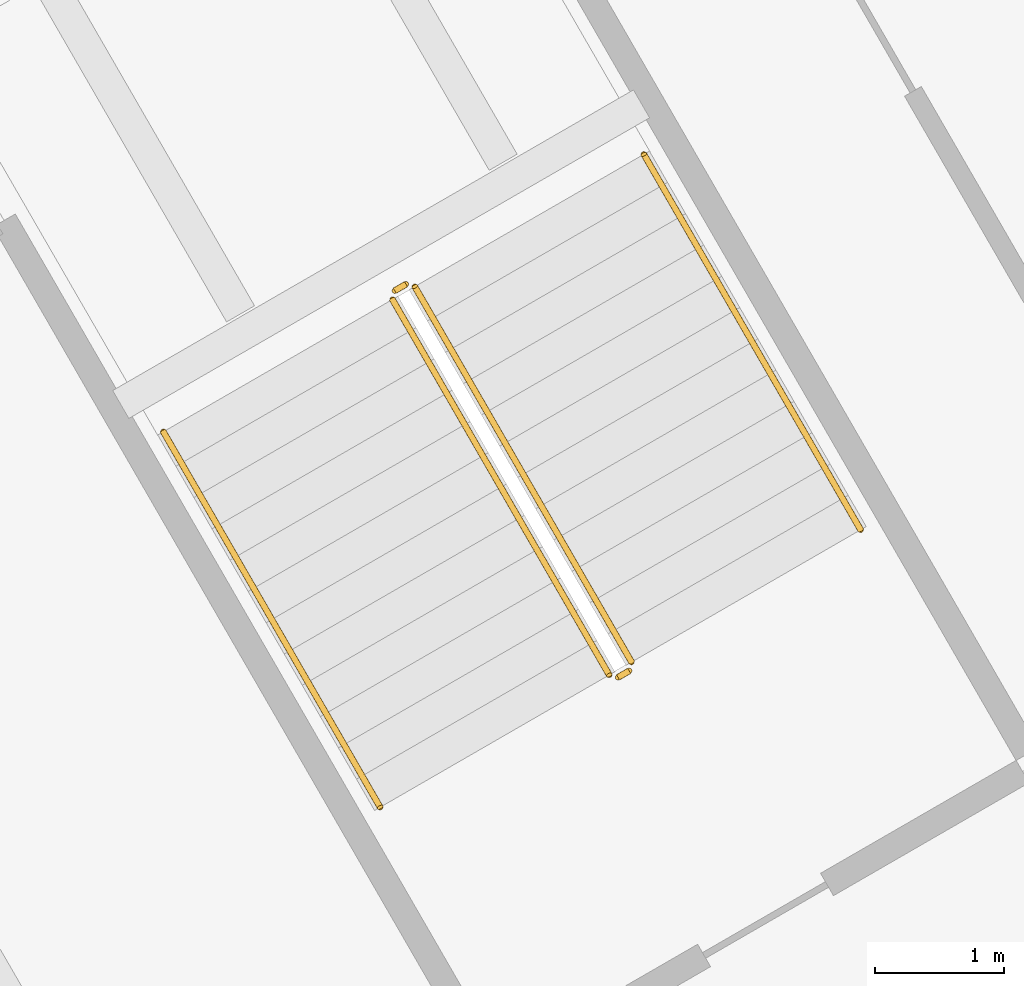
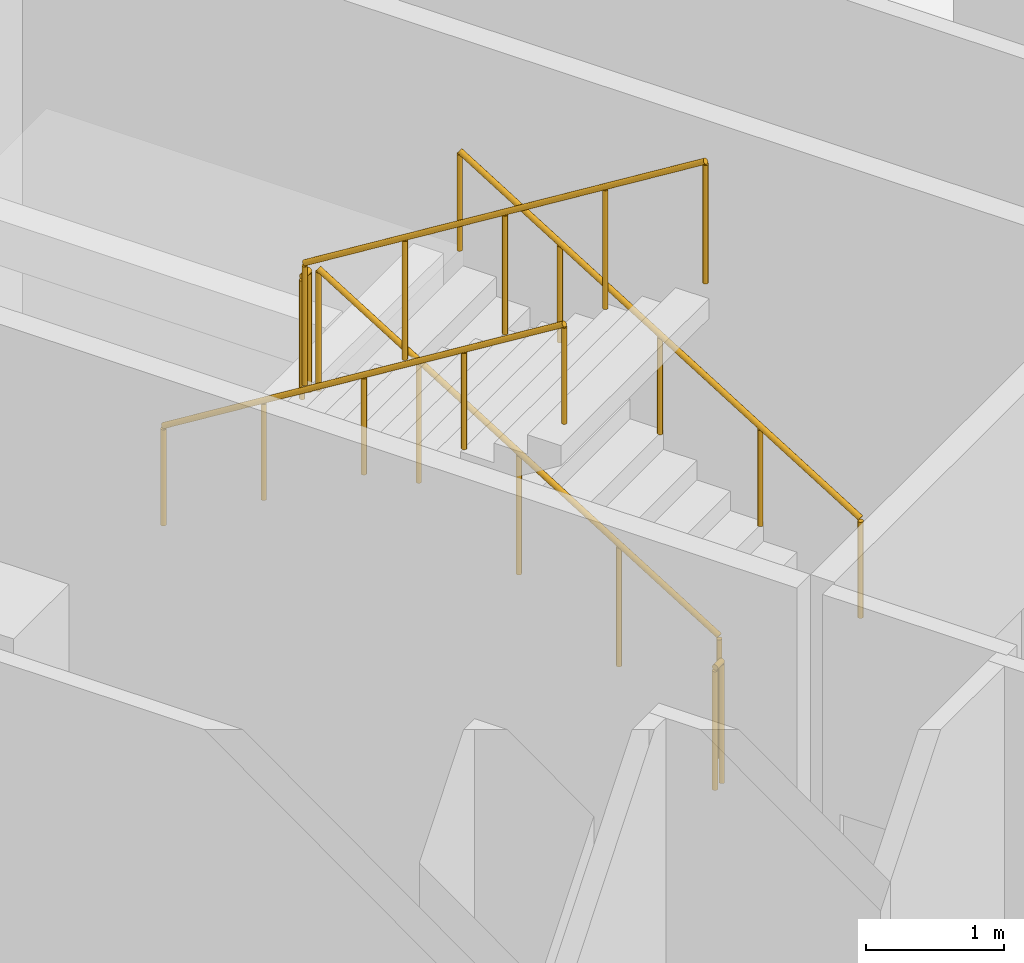
# One storey, part 15 of 20: 6 railings.
"""IFC4 building model written with IfcOpenShell, lengths in metres."""

from ifc_helpers import new_model, si_unit, direction, frame, origin, origin_2d, place, context, subcontext, project, spatial, circle, extrude, material, type_object, element, save


model = new_model("IFC4")

# Units and contexts
model_context = context("Model", 3, precision=1e-05, world=origin(), true_north=direction((0.0, 1.0)))
body_context = subcontext(model_context, "Body", "Model", "MODEL_VIEW")
ifc_project = project(units=[si_unit("LENGTHUNIT", "METRE"), si_unit("AREAUNIT", "SQUARE_METRE"), si_unit("VOLUMEUNIT", "CUBIC_METRE"), si_unit("PLANEANGLEUNIT", "RADIAN"), si_unit("MASSUNIT", "GRAM", prefix="KILO")], contexts=[model_context])

# Site, building, storey
site_placement = place(None, origin())
site = spatial("IfcSite", under=ifc_project, at=site_placement, CompositionType="ELEMENT")
building_placement = place(site_placement, origin())
building = spatial("IfcBuilding", under=site, at=building_placement, Name="Verdalira Terraces Hotel", CompositionType="ELEMENT")
storey_placement = place(building_placement, frame((0.0, 0.0, 23.5)))
storey = spatial("IfcBuildingStorey", under=building, at=storey_placement, Name="L04", CompositionType="ELEMENT", Elevation=23.5)

# Railings
ifc_material_1 = material(Name="Stainless steel", Category="steel")
railing_type_1 = type_object("IfcRailingType", Name="Stair guard 1100", PredefinedType="GUARDRAIL", material=ifc_material_1)
railing_1_placement = place(storey_placement, frame((-27.944092, -16.999512, 0.173096)))
element("IfcRailing", 1, at=railing_1_placement, inside=storey, type_object=railing_type_1, Name="L04 PS2 stair guard 1", PredefinedType="GUARDRAIL", context=body_context, shape_type="SweptSolid", body=[
    extrude(circle(Radius=0.023926, at=origin_2d()), frame((0.0, 0.0, 1.076172), z_axis=(-0.425288379, 0.736667954, 0.525785241), x_axis=(-0.86603918, -0.499976139, 0.0)), (0.0, 0.0, 1.0), 3.950195),
    extrude(circle(Radius=0.020996, at=origin_2d()), origin(), (0.0, 0.0, 1.0), 1.052002),
    extrude(circle(Radius=0.020996, at=origin_2d()), frame((-0.419922, 0.727539, 0.519287)), (0.0, 0.0, 1.0), 1.052002),
    extrude(circle(Radius=0.020996, at=origin_2d()), frame((-0.839844, 1.455078, 1.038574)), (0.0, 0.0, 1.0), 1.052002),
    extrude(circle(Radius=0.020996, at=origin_2d()), frame((-1.26001, 2.182373, 1.557617)), (0.0, 0.0, 1.0), 1.052002),
    extrude(circle(Radius=0.020996, at=origin_2d()), frame((-1.679932, 2.909912, 2.076904)), (0.0, 0.0, 1.0), 1.052002),
])
railing_2_placement = place(storey_placement, frame((-29.692383, -14.071289, 2.25)))
element("IfcRailing", 2, at=railing_2_placement, inside=storey, type_object=railing_type_1, Name="L04 PS2 stair guard 2", PredefinedType="GUARDRAIL", context=body_context, shape_type="SweptSolid", body=[
    extrude(circle(Radius=0.023926, at=origin_2d()), frame((0.0, 0.0, 1.076172), z_axis=(-0.865982458, -0.500074377, 0.0), x_axis=(0.500074377, -0.865982458, 0.0)), (0.0, 0.0, 1.0), 0.100098),
    extrude(circle(Radius=0.020996, at=origin_2d()), origin(), (0.0, 0.0, 1.0), 1.052002),
    extrude(circle(Radius=0.020996, at=origin_2d()), frame((-0.08667, -0.050049, 0.0)), (0.0, 0.0, 1.0), 1.052002),
])
railing_3_placement = place(storey_placement, frame((-29.797119, -14.189697, 2.423096)))
element("IfcRailing", 3, at=railing_3_placement, inside=storey, type_object=railing_type_1, Name="L04 PS2 stair guard 3", PredefinedType="GUARDRAIL", context=body_context, shape_type="SweptSolid", body=[
    extrude(circle(Radius=0.023926, at=origin_2d()), frame((0.0, 0.0, 1.076172), z_axis=(0.425288379, -0.736667954, 0.525785241), x_axis=(0.86603918, 0.499976139, 0.0)), (0.0, 0.0, 1.0), 3.950195),
    extrude(circle(Radius=0.020996, at=origin_2d()), origin(), (0.0, 0.0, 1.0), 1.052002),
    extrude(circle(Radius=0.020996, at=origin_2d()), frame((0.419922, -0.727539, 0.519287)), (0.0, 0.0, 1.0), 1.052002),
    extrude(circle(Radius=0.020996, at=origin_2d()), frame((0.839844, -1.455078, 1.038574)), (0.0, 0.0, 1.0), 1.052002),
    extrude(circle(Radius=0.020996, at=origin_2d()), frame((1.26001, -2.182373, 1.557617)), (0.0, 0.0, 1.0), 1.052002),
    extrude(circle(Radius=0.020996, at=origin_2d()), frame((1.679932, -2.909912, 2.076904)), (0.0, 0.0, 1.0), 1.052002),
])
railing_4_placement = place(storey_placement, frame((-27.962402, -17.067871, 0.0)))
element("IfcRailing", 4, at=railing_4_placement, inside=storey, type_object=railing_type_1, Name="L04 PS2 stair guard 4", PredefinedType="GUARDRAIL", context=body_context, shape_type="SweptSolid", body=[
    extrude(circle(Radius=0.023926, at=origin_2d()), frame((0.0, 0.0, 1.076172), z_axis=(-0.865370492, -0.501132629, 0.0), x_axis=(0.501132629, -0.865370492, 0.0)), (0.0, 0.0, 1.0), 0.099854),
    extrude(circle(Radius=0.020996, at=origin_2d()), origin(), (0.0, 0.0, 1.0), 1.052002),
    extrude(circle(Radius=0.020996, at=origin_2d()), frame((-0.086426, -0.050049, 0.0)), (0.0, 0.0, 1.0), 1.052002),
])
ifc_material_2 = material(Name="Stainless steel", Category="steel")
railing_type_2 = type_object("IfcRailingType", Name="Stair handrail 900", PredefinedType="HANDRAIL", material=ifc_material_2)
railing_5_placement = place(storey_placement, frame((-26.168701, -15.974609, 0.173096)))
element("IfcRailing", 5, at=railing_5_placement, inside=storey, type_object=railing_type_2, Name="L04 PS2 stair handrail 1", PredefinedType="HANDRAIL", context=body_context, shape_type="SweptSolid", body=[
    extrude(circle(Radius=0.023926, at=origin_2d()), frame((0.0, 0.0, 0.875977), z_axis=(-0.425288379, 0.736667954, 0.525785241), x_axis=(-0.86603918, -0.499976139, 0.0)), (0.0, 0.0, 1.0), 3.950195),
    extrude(circle(Radius=0.020996, at=origin_2d()), origin(), (0.0, 0.0, 1.0), 0.851807),
    extrude(circle(Radius=0.020996, at=origin_2d()), frame((-0.419922, 0.727539, 0.519287)), (0.0, 0.0, 1.0), 0.851807),
    extrude(circle(Radius=0.020996, at=origin_2d()), frame((-0.839844, 1.455078, 1.038574)), (0.0, 0.0, 1.0), 0.851807),
    extrude(circle(Radius=0.020996, at=origin_2d()), frame((-1.26001, 2.182373, 1.557617)), (0.0, 0.0, 1.0), 0.851807),
    extrude(circle(Radius=0.020996, at=origin_2d()), frame((-1.679932, 2.909912, 2.076904)), (0.0, 0.0, 1.0), 0.851807),
])
railing_6_placement = place(storey_placement, frame((-31.57251, -15.2146, 2.423096)))
element("IfcRailing", 6, at=railing_6_placement, inside=storey, type_object=railing_type_2, Name="L04 PS2 stair handrail 2", PredefinedType="HANDRAIL", context=body_context, shape_type="SweptSolid", body=[
    extrude(circle(Radius=0.023926, at=origin_2d()), frame((0.0, 0.0, 0.875977), z_axis=(0.425288379, -0.736667954, 0.525785241), x_axis=(0.86603918, 0.499976139, 0.0)), (0.0, 0.0, 1.0), 3.950195),
    extrude(circle(Radius=0.020996, at=origin_2d()), origin(), (0.0, 0.0, 1.0), 0.851807),
    extrude(circle(Radius=0.020996, at=origin_2d()), frame((0.419922, -0.727539, 0.519287)), (0.0, 0.0, 1.0), 0.851807),
    extrude(circle(Radius=0.020996, at=origin_2d()), frame((0.839844, -1.455078, 1.038574)), (0.0, 0.0, 1.0), 0.851807),
    extrude(circle(Radius=0.020996, at=origin_2d()), frame((1.26001, -2.182373, 1.557617)), (0.0, 0.0, 1.0), 0.851807),
    extrude(circle(Radius=0.020996, at=origin_2d()), frame((1.679932, -2.909912, 2.076904)), (0.0, 0.0, 1.0), 0.851807),
])

save(model, "model.ifc")
